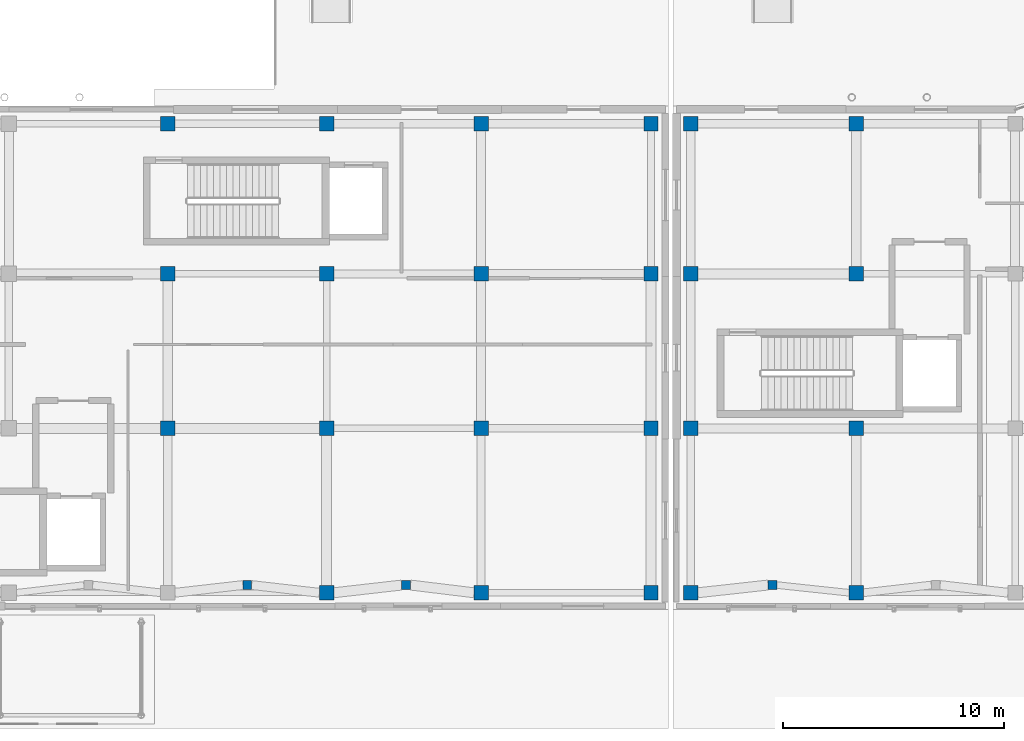
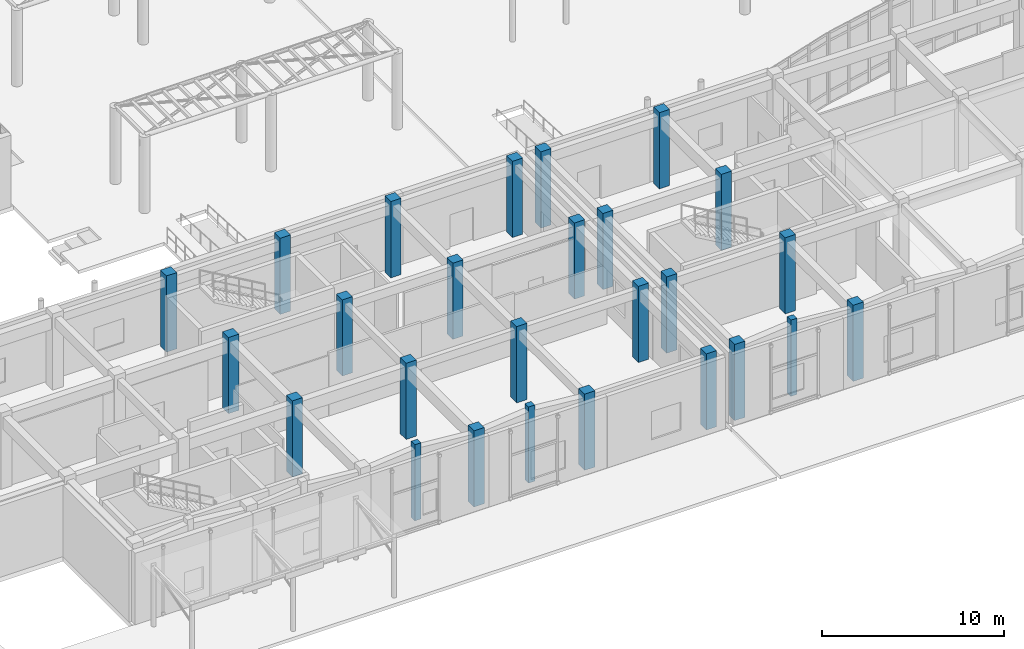
# One storey, part 3 of 121: 26 columns.
"""IFC4 building model written with IfcOpenShell, lengths in metres."""

from ifc_helpers import new_model, si_unit, direction, frame, origin, origin_2d, place, context, subcontext, project, spatial, rectangle, extrude, material, material_profile, profile_set, type_object, element, save


model = new_model("IFC4")

# Units and contexts
model_context = context("Model", 3, precision=1e-05, world=origin(), true_north=direction((0.0, 1.0)))
body_context = subcontext(model_context, "Body", "Model", "MODEL_VIEW")
ifc_project = project(units=[si_unit("LENGTHUNIT", "METRE"), si_unit("AREAUNIT", "SQUARE_METRE"), si_unit("VOLUMEUNIT", "CUBIC_METRE"), si_unit("PLANEANGLEUNIT", "RADIAN"), si_unit("MASSUNIT", "GRAM", prefix="KILO")], contexts=[model_context])

# Site, building, storey
site_placement = place(None, origin())
site = spatial("IfcSite", under=ifc_project, at=site_placement, CompositionType="ELEMENT")
building_placement = place(site_placement, origin())
building = spatial("IfcBuilding", under=site, at=building_placement, Name="Valcora Specialist Clinic", CompositionType="ELEMENT")
storey_placement = place(building_placement, origin())
storey = spatial("IfcBuildingStorey", under=building, at=storey_placement, Name="L00", CompositionType="ELEMENT", Elevation=0.0)

# Columns
ifc_material = material(Name="Concrete C40/50", Category="concrete")
ifc_material_profile_1 = material_profile(ifc_material, rectangle(XDim=0.64990234375, YDim=0.64990234375, at=origin_2d()), Name="RC-COL-650X650")
ifc_profile_set_1 = profile_set([ifc_material_profile_1], Name="Concrete C40/50")
column_type_1 = type_object("IfcColumnType", Name="TY-COL-RC650", PredefinedType="COLUMN", material=ifc_profile_set_1)
for number, where, z_axis, x_axis, name in (
    (1, (30.60009765625, 8.199951171875, 0.0), (0.0, 0.0, 1.0), (1.0, 0.0, 0.0), "Column COL-L00-0642"),
    (2, (30.60009765625, 15.199951171875, 0.0), (0.0, 0.0, 1.0), (1.0, 0.0, 0.0), "Column COL-L00-0649"),
    (3, (30.60009765625, 22.0, 0.0), (0.0, 0.0, 1.0), (1.0, 0.0, 0.0), "Column COL-L00-0656"),
    (4, (37.800048828125, 0.75, 0.0), (0.0, 0.0, 1.0), (1.0, 0.0, 0.0), "Column COL-L00-0663"),
    (5, (37.800048828125, 8.199951171875, 0.0), (0.0, 0.0, 1.0), (1.0, 0.0, 0.0), "Column COL-L00-0670"),
    (6, (37.800048828125, 15.199951171875, 0.0), (0.0, 0.0, 1.0), (1.0, 0.0, 0.0), "Column COL-L00-0677"),
    (7, (37.800048828125, 22.0, 0.0), (0.0, 0.0, 1.0), (1.0, 0.0, 0.0), "Column COL-L00-0684"),
    (8, (44.800048828125, 0.75, 0.0), (0.0, 0.0, 1.0), (1.0, 0.0, 0.0), "Column COL-L00-0691"),
    (9, (44.800048828125, 8.199951171875, 0.0), (0.0, 0.0, 1.0), (1.0, 0.0, 0.0), "Column COL-L00-0698"),
    (10, (44.800048828125, 15.199951171875, 0.0), (0.0, 0.0, 1.0), (1.0, 0.0, 0.0), "Column COL-L00-0705"),
    (11, (44.800048828125, 22.0, 0.0), (0.0, 0.0, 1.0), (1.0, 0.0, 0.0), "Column COL-L00-0712"),
    (12, (52.5, 0.75, 0.0), (0.0, 0.0, 1.0), (1.0, 0.0, 0.0), "Column COL-L00-0719"),
    (13, (52.5, 8.199951171875, 0.0), (0.0, 0.0, 1.0), (1.0, 0.0, 0.0), "Column COL-L00-0724"),
    (14, (52.5, 15.199951171875, 0.0), (0.0, 0.0, 1.0), (1.0, 0.0, 0.0), "Column COL-L00-0729"),
    (15, (52.5, 22.0, 0.0), (0.0, 0.0, 1.0), (1.0, 0.0, 0.0), "Column COL-L00-0734"),
    (16, (54.300048828125, 0.75, 0.0), (0.0, 0.0, 1.0), (1.0, 0.0, 0.0), "Column COL-L00-0739"),
    (17, (54.300048828125, 8.199951171875, 0.0), (0.0, 0.0, 1.0), (1.0, 0.0, 0.0), "Column COL-L00-0744"),
    (18, (54.300048828125, 15.199951171875, 0.0), (0.0, 0.0, 1.0), (1.0, 0.0, 0.0), "Column COL-L00-0750"),
    (19, (54.300048828125, 22.0, 0.0), (0.0, 0.0, 1.0), (1.0, 0.0, 0.0), "Column COL-L00-0756"),
    (20, (61.800048828125, 0.75, 0.0), (0.0, 0.0, 1.0), (1.0, 0.0, 0.0), "Column COL-L00-0762"),
    (21, (61.800048828125, 8.199951171875, 0.0), (0.0, 0.0, 1.0), (1.0, 0.0, 0.0), "Column COL-L00-0767"),
    (22, (61.800048828125, 15.199951171875, 0.0), (0.0, 0.0, 1.0), (1.0, 0.0, 0.0), "Column COL-L00-0773"),
    (23, (61.800048828125, 22.0, 0.0), (0.0, 0.0, 1.0), (1.0, 0.0, 0.0), "Column COL-L00-0779"),
):
    element("IfcColumn", number, at=place(storey_placement, frame(where, z_axis=z_axis, x_axis=x_axis)), inside=storey, type_object=column_type_1, Name=name, PredefinedType="COLUMN", context=body_context, shape_type="SweptSolid", body=[
        extrude(rectangle(XDim=0.64990234375, YDim=0.64990234375, at=origin_2d()), origin(), (0.0, 0.0, 1.0), 5.10009765625),
    ])
ifc_material_profile_2 = material_profile(ifc_material, rectangle(XDim=0.39990234375, YDim=0.39990234375, at=origin_2d()), Name="RC-COL-400X400")
ifc_profile_set_2 = profile_set([ifc_material_profile_2], Name="Concrete C40/50")
column_type_2 = type_object("IfcColumnType", Name="TY-PIL-RC400", PredefinedType="PILASTER", material=ifc_profile_set_2)
for number, where, z_axis, x_axis, name in (
    (24, (34.199951171875, 1.10009765625, 0.0), (0.0, 0.0, 1.0), (1.0, 0.0, 0.0), "Column COL-L00-1047"),
    (25, (41.39990234375, 1.10009765625, 0.0), (0.0, 0.0, 1.0), (1.0, 0.0, 0.0), "Column COL-L00-1051"),
    (26, (58.0, 1.10009765625, 0.0), (0.0, 0.0, 1.0), (1.0, 0.0, 0.0), "Column COL-L00-1055"),
):
    element("IfcColumn", number, at=place(storey_placement, frame(where, z_axis=z_axis, x_axis=x_axis)), inside=storey, type_object=column_type_2, Name=name, PredefinedType="PILASTER", context=body_context, shape_type="SweptSolid", body=[
        extrude(rectangle(XDim=0.39990234375, YDim=0.39990234375, at=origin_2d()), origin(), (0.0, 0.0, 1.0), 5.10009765625),
    ])

save(model, "model.ifc")
